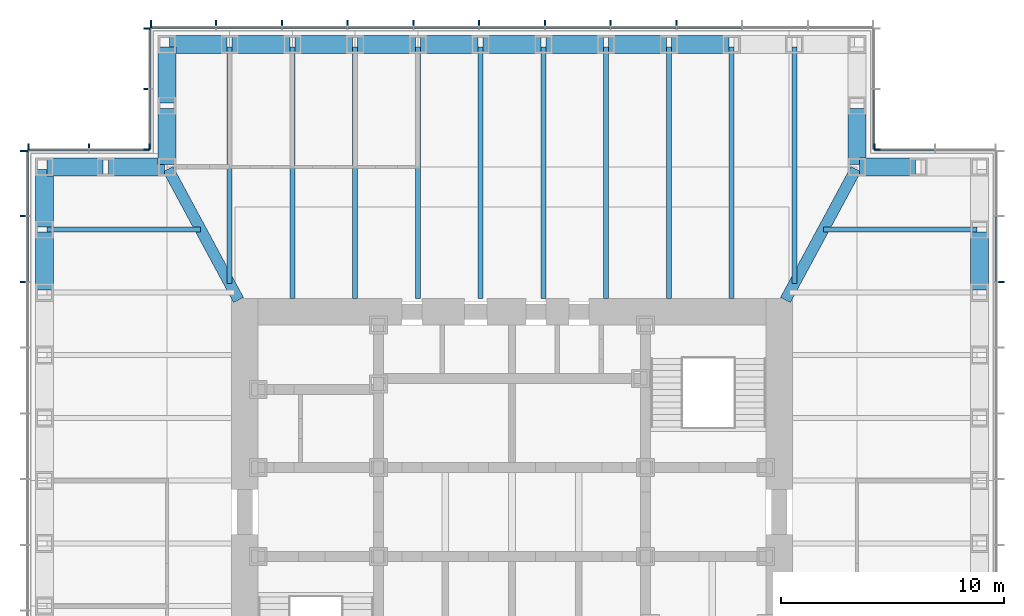
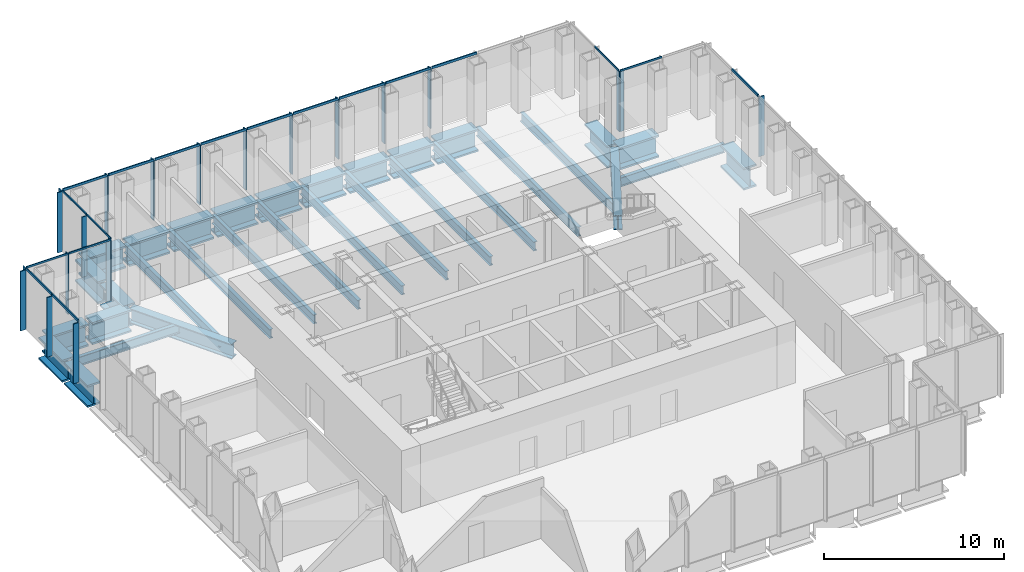
# One storey, part 5 of 16: 39 members, 32 beams, 7 elements without a shape of their own.
"""IFC4 building model written with IfcOpenShell, lengths in metres."""

from ifc_helpers import new_model, si_unit, direction, frame, origin, origin_2d, place, context, subcontext, project, spatial, rectangle, i_section, extrude, material, material_profile, profile_set, type_object, element, aggregate, save


model = new_model("IFC4")

# Units and contexts
model_context = context("Model", 3, precision=1e-05, world=origin(), true_north=direction((0.0, 1.0)))
body_context = subcontext(model_context, "Body", "Model", "MODEL_VIEW")
ifc_project = project(units=[si_unit("LENGTHUNIT", "METRE"), si_unit("AREAUNIT", "SQUARE_METRE"), si_unit("VOLUMEUNIT", "CUBIC_METRE"), si_unit("PLANEANGLEUNIT", "RADIAN"), si_unit("MASSUNIT", "GRAM", prefix="KILO")], contexts=[model_context])

# Site, building, storey
site_placement = place(None, origin())
site = spatial("IfcSite", under=ifc_project, at=site_placement, CompositionType="ELEMENT")
building_placement = place(site_placement, origin())
building = spatial("IfcBuilding", under=site, at=building_placement, Name="Daluyong Arena Tower", CompositionType="ELEMENT")
storey_placement = place(building_placement, frame((0.0, 0.0, 235.89990234375)))
storey = spatial("IfcBuildingStorey", under=building, at=storey_placement, Name="L53", CompositionType="ELEMENT", Elevation=235.89990234375)

# Curtain wall, member
ifc_material_1 = material(Name="Bronze anodised aluminium and glass", Category="aluminium")
curtain_wall_type_1 = type_object("IfcCurtainWallType", Name="Curtain wall CW3", PredefinedType="USERDEFINED", material=ifc_material_1)
curtain_wall_1_placement = place(storey_placement, origin())
curtain_wall_1 = element("IfcCurtainWall", 1, at=curtain_wall_1_placement, inside=storey, type_object=curtain_wall_type_1, Name="curtain wall L53 E", ObjectType="UNITISED CURTAIN WALL", PredefinedType="USERDEFINED")
ifc_material_2 = material(Name="Bronze anodised aluminium fin", Category="aluminium")
ifc_material_profile_1 = material_profile(ifc_material_2, rectangle(XDim=0.35009765625, YDim=0.070068359375, at=origin_2d()))
ifc_profile_set_1 = profile_set([ifc_material_profile_1], Name="Bronze anodised aluminium fin")
member_type_1 = type_object("IfcMemberType", Name="CW3 bronze fin 350x70", PredefinedType="MULLION", material=ifc_profile_set_1)
member_1_placement = place(storey_placement, frame((77.925048828125, 90.3408203125, 0.0), z_axis=(0.0, 0.0, 1.0), x_axis=(-1.0, 0.0, 0.0)))
member_1 = element("IfcMember", 2, at=member_1_placement, type_object=member_type_1, Name="curtain wall L53 E fin 10", PredefinedType="MULLION", context=body_context, shape_type="SweptSolid", body=[
    extrude(rectangle(XDim=0.35009765625, YDim=0.070068359375, at=origin_2d()), origin(), (0.0, 0.0, 1.0), 4.0400390625),
])

# Curtain wall, members
curtain_wall_2_placement = place(storey_placement, origin())
curtain_wall_2 = element("IfcCurtainWall", 3, at=curtain_wall_2_placement, inside=storey, type_object=curtain_wall_type_1, Name="curtain wall L53 N", ObjectType="UNITISED CURTAIN WALL", PredefinedType="USERDEFINED")
member_2_placement = place(storey_placement, frame((63.386474609375, 101.925048828125, 0.0), z_axis=(0.0, 0.0, 1.0), x_axis=(0.0, -1.0, 0.0)))
member_2 = element("IfcMember", 4, at=member_2_placement, type_object=member_type_1, Name="curtain wall L53 N fin 4", PredefinedType="MULLION", context=body_context, shape_type="SweptSolid", body=[
    extrude(rectangle(XDim=0.35009765625, YDim=0.070068359375, at=origin_2d()), origin(), (0.0, 0.0, 1.0), 4.0400390625),
])
member_3_placement = place(storey_placement, frame((60.431884765625, 101.925048828125, 0.0), z_axis=(0.0, 0.0, 1.0), x_axis=(0.0, -1.0, 0.0)))
member_3 = element("IfcMember", 5, at=member_3_placement, type_object=member_type_1, Name="curtain wall L53 N fin 5", PredefinedType="MULLION", context=body_context, shape_type="SweptSolid", body=[
    extrude(rectangle(XDim=0.35009765625, YDim=0.070068359375, at=origin_2d()), origin(), (0.0, 0.0, 1.0), 4.0400390625),
])
member_4_placement = place(storey_placement, frame((57.477294921875, 101.925048828125, 0.0), z_axis=(0.0, 0.0, 1.0), x_axis=(0.0, -1.0, 0.0)))
member_4 = element("IfcMember", 6, at=member_4_placement, type_object=member_type_1, Name="curtain wall L53 N fin 6", PredefinedType="MULLION", context=body_context, shape_type="SweptSolid", body=[
    extrude(rectangle(XDim=0.35009765625, YDim=0.070068359375, at=origin_2d()), origin(), (0.0, 0.0, 1.0), 4.0400390625),
])
member_5_placement = place(storey_placement, frame((54.522705078125, 101.925048828125, 0.0), z_axis=(0.0, 0.0, 1.0), x_axis=(0.0, -1.0, 0.0)))
member_5 = element("IfcMember", 7, at=member_5_placement, type_object=member_type_1, Name="curtain wall L53 N fin 7", PredefinedType="MULLION", context=body_context, shape_type="SweptSolid", body=[
    extrude(rectangle(XDim=0.35009765625, YDim=0.070068359375, at=origin_2d()), origin(), (0.0, 0.0, 1.0), 4.0400390625),
])
member_6_placement = place(storey_placement, frame((51.568115234375, 101.925048828125, 0.0), z_axis=(0.0, 0.0, 1.0), x_axis=(0.0, -1.0, 0.0)))
member_6 = element("IfcMember", 8, at=member_6_placement, type_object=member_type_1, Name="curtain wall L53 N fin 8", PredefinedType="MULLION", context=body_context, shape_type="SweptSolid", body=[
    extrude(rectangle(XDim=0.35009765625, YDim=0.070068359375, at=origin_2d()), origin(), (0.0, 0.0, 1.0), 4.0400390625),
])
member_7_placement = place(storey_placement, frame((48.613525390625, 101.925048828125, 0.0), z_axis=(0.0, 0.0, 1.0), x_axis=(0.0, -1.0, 0.0)))
member_7 = element("IfcMember", 9, at=member_7_placement, type_object=member_type_1, Name="curtain wall L53 N fin 9", PredefinedType="MULLION", context=body_context, shape_type="SweptSolid", body=[
    extrude(rectangle(XDim=0.35009765625, YDim=0.070068359375, at=origin_2d()), origin(), (0.0, 0.0, 1.0), 4.0400390625),
])
member_8_placement = place(storey_placement, frame((45.6591796875, 101.925048828125, 0.0), z_axis=(0.0, 0.0, 1.0), x_axis=(0.0, -1.0, 0.0)))
member_8 = element("IfcMember", 10, at=member_8_placement, type_object=member_type_1, Name="curtain wall L53 N fin 10", PredefinedType="MULLION", context=body_context, shape_type="SweptSolid", body=[
    extrude(rectangle(XDim=0.35009765625, YDim=0.070068359375, at=origin_2d()), origin(), (0.0, 0.0, 1.0), 4.0400390625),
])
member_9_placement = place(storey_placement, frame((42.70458984375, 101.925048828125, 0.0), z_axis=(0.0, 0.0, 1.0), x_axis=(0.0, -1.0, 0.0)))
member_9 = element("IfcMember", 11, at=member_9_placement, type_object=member_type_1, Name="curtain wall L53 N fin 11", PredefinedType="MULLION", context=body_context, shape_type="SweptSolid", body=[
    extrude(rectangle(XDim=0.35009765625, YDim=0.070068359375, at=origin_2d()), origin(), (0.0, 0.0, 1.0), 4.0400390625),
])
member_10_placement = place(storey_placement, frame((39.784912109375, 101.925048828125, 0.0), z_axis=(0.0, 0.0, 1.0), x_axis=(0.0, -1.0, 0.0)))
member_10 = element("IfcMember", 12, at=member_10_placement, type_object=member_type_1, Name="curtain wall L53 N fin 12", PredefinedType="MULLION", context=body_context, shape_type="SweptSolid", body=[
    extrude(rectangle(XDim=0.35009765625, YDim=0.070068359375, at=origin_2d()), origin(), (0.0, 0.0, 1.0), 4.0400390625),
])

curtain_wall_3_placement = place(storey_placement, origin())
curtain_wall_3 = element("IfcCurtainWall", 13, at=curtain_wall_3_placement, inside=storey, type_object=curtain_wall_type_1, Name="curtain wall L53 W", ObjectType="UNITISED CURTAIN WALL", PredefinedType="USERDEFINED")
member_11_placement = place(storey_placement, frame((34.074951171875, 96.215087890625, 0.0), z_axis=(0.0, 0.0, 1.0), x_axis=(1.0, 0.0, 0.0)))
member_11 = element("IfcMember", 14, at=member_11_placement, type_object=member_type_1, Name="curtain wall L53 W fin 1", PredefinedType="MULLION", context=body_context, shape_type="SweptSolid", body=[
    extrude(rectangle(XDim=0.35009765625, YDim=0.070068359375, at=origin_2d()), origin(), (0.0, 0.0, 1.0), 4.0400390625),
])
member_12_placement = place(storey_placement, frame((34.074951171875, 93.29541015625, 0.0), z_axis=(0.0, 0.0, 1.0), x_axis=(1.0, 0.0, 0.0)))
member_12 = element("IfcMember", 15, at=member_12_placement, type_object=member_type_1, Name="curtain wall L53 W fin 2", PredefinedType="MULLION", context=body_context, shape_type="SweptSolid", body=[
    extrude(rectangle(XDim=0.35009765625, YDim=0.070068359375, at=origin_2d()), origin(), (0.0, 0.0, 1.0), 4.0400390625),
])
member_13_placement = place(storey_placement, frame((34.074951171875, 90.3408203125, 0.0), z_axis=(0.0, 0.0, 1.0), x_axis=(1.0, 0.0, 0.0)))
member_13 = element("IfcMember", 16, at=member_13_placement, type_object=member_type_1, Name="curtain wall L53 W fin 3", PredefinedType="MULLION", context=body_context, shape_type="SweptSolid", body=[
    extrude(rectangle(XDim=0.35009765625, YDim=0.070068359375, at=origin_2d()), origin(), (0.0, 0.0, 1.0), 4.0400390625),
])

# Member
ifc_material_3 = material(Name="Bronze anodised aluminium", Category="aluminium")
ifc_material_profile_2 = material_profile(ifc_material_3, rectangle(XDim=0.070068359375, YDim=0.159912109375, at=origin_2d()))
ifc_profile_set_2 = profile_set([ifc_material_profile_2], Name="Bronze anodised aluminium")
member_type_2 = type_object("IfcMemberType", Name="CW3 stack transom 160x70", PredefinedType="USERDEFINED", material=ifc_profile_set_2)
member_14_placement = place(storey_placement, frame((77.75, 90.3759765625, 4.1201171875), z_axis=(0.0, 1.0, 0.0), x_axis=(-1.0, 0.0, 0.0)))
member_14 = element("IfcMember", 17, at=member_14_placement, type_object=member_type_2, Name="curtain wall L53 E transom 10", ObjectType="TRANSOM", PredefinedType="USERDEFINED", context=body_context, shape_type="SweptSolid", body=[
    extrude(rectangle(XDim=0.070068359375, YDim=0.159912109375, at=origin_2d()), origin(), (0.0, 0.0, 1.0), 2.884521484375),
])

aggregate(curtain_wall_1, [member_1, member_14])

member_15_placement = place(storey_placement, frame((66.305908203125, 101.75, 4.1201171875), z_axis=(-1.0, 0.0, 0.0), x_axis=(0.0, -1.0, 0.0)))
member_15 = element("IfcMember", 18, at=member_15_placement, type_object=member_type_2, Name="curtain wall L53 N transom 3", ObjectType="TRANSOM", PredefinedType="USERDEFINED", context=body_context, shape_type="SweptSolid", body=[
    extrude(rectangle(XDim=0.070068359375, YDim=0.159912109375, at=origin_2d()), origin(), (0.0, 0.0, 1.0), 2.884521484375),
])

member_16_placement = place(storey_placement, frame((63.351318359375, 101.75, 4.1201171875), z_axis=(-1.0, 0.0, 0.0), x_axis=(0.0, -1.0, 0.0)))
member_16 = element("IfcMember", 19, at=member_16_placement, type_object=member_type_2, Name="curtain wall L53 N transom 4", ObjectType="TRANSOM", PredefinedType="USERDEFINED", context=body_context, shape_type="SweptSolid", body=[
    extrude(rectangle(XDim=0.070068359375, YDim=0.159912109375, at=origin_2d()), origin(), (0.0, 0.0, 1.0), 2.884521484375),
])

member_17_placement = place(storey_placement, frame((60.396728515625, 101.75, 4.1201171875), z_axis=(-1.0, 0.0, 0.0), x_axis=(0.0, -1.0, 0.0)))
member_17 = element("IfcMember", 20, at=member_17_placement, type_object=member_type_2, Name="curtain wall L53 N transom 5", ObjectType="TRANSOM", PredefinedType="USERDEFINED", context=body_context, shape_type="SweptSolid", body=[
    extrude(rectangle(XDim=0.070068359375, YDim=0.159912109375, at=origin_2d()), origin(), (0.0, 0.0, 1.0), 2.884521484375),
])

member_18_placement = place(storey_placement, frame((57.4423828125, 101.75, 4.1201171875), z_axis=(-1.0, 0.0, 0.0), x_axis=(0.0, -1.0, 0.0)))
member_18 = element("IfcMember", 21, at=member_18_placement, type_object=member_type_2, Name="curtain wall L53 N transom 6", ObjectType="TRANSOM", PredefinedType="USERDEFINED", context=body_context, shape_type="SweptSolid", body=[
    extrude(rectangle(XDim=0.070068359375, YDim=0.159912109375, at=origin_2d()), origin(), (0.0, 0.0, 1.0), 2.884765625),
])

member_19_placement = place(storey_placement, frame((54.48779296875, 101.75, 4.1201171875), z_axis=(-1.0, 0.0, 0.0), x_axis=(0.0, -1.0, 0.0)))
member_19 = element("IfcMember", 22, at=member_19_placement, type_object=member_type_2, Name="curtain wall L53 N transom 7", ObjectType="TRANSOM", PredefinedType="USERDEFINED", context=body_context, shape_type="SweptSolid", body=[
    extrude(rectangle(XDim=0.070068359375, YDim=0.159912109375, at=origin_2d()), origin(), (0.0, 0.0, 1.0), 2.884521484375),
])

member_20_placement = place(storey_placement, frame((51.533203125, 101.75, 4.1201171875), z_axis=(-1.0, 0.0, 0.0), x_axis=(0.0, -1.0, 0.0)))
member_20 = element("IfcMember", 23, at=member_20_placement, type_object=member_type_2, Name="curtain wall L53 N transom 8", ObjectType="TRANSOM", PredefinedType="USERDEFINED", context=body_context, shape_type="SweptSolid", body=[
    extrude(rectangle(XDim=0.070068359375, YDim=0.159912109375, at=origin_2d()), origin(), (0.0, 0.0, 1.0), 2.884521484375),
])

member_21_placement = place(storey_placement, frame((48.57861328125, 101.75, 4.1201171875), z_axis=(-1.0, 0.0, 0.0), x_axis=(0.0, -1.0, 0.0)))
member_21 = element("IfcMember", 24, at=member_21_placement, type_object=member_type_2, Name="curtain wall L53 N transom 9", ObjectType="TRANSOM", PredefinedType="USERDEFINED", context=body_context, shape_type="SweptSolid", body=[
    extrude(rectangle(XDim=0.070068359375, YDim=0.159912109375, at=origin_2d()), origin(), (0.0, 0.0, 1.0), 2.884521484375),
])

member_22_placement = place(storey_placement, frame((45.6240234375, 101.75, 4.1201171875), z_axis=(-1.0, 0.0, 0.0), x_axis=(0.0, -1.0, 0.0)))
member_22 = element("IfcMember", 25, at=member_22_placement, type_object=member_type_2, Name="curtain wall L53 N transom 10", ObjectType="TRANSOM", PredefinedType="USERDEFINED", context=body_context, shape_type="SweptSolid", body=[
    extrude(rectangle(XDim=0.070068359375, YDim=0.159912109375, at=origin_2d()), origin(), (0.0, 0.0, 1.0), 2.884521484375),
])

member_23_placement = place(storey_placement, frame((42.66943359375, 101.75, 4.1201171875), z_axis=(-1.0, 0.0, 0.0), x_axis=(0.0, -1.0, 0.0)))
member_23 = element("IfcMember", 26, at=member_23_placement, type_object=member_type_2, Name="curtain wall L53 N transom 11", ObjectType="TRANSOM", PredefinedType="USERDEFINED", context=body_context, shape_type="SweptSolid", body=[
    extrude(rectangle(XDim=0.070068359375, YDim=0.159912109375, at=origin_2d()), origin(), (0.0, 0.0, 1.0), 2.849365234375),
])

aggregate(curtain_wall_2, [member_2, member_3, member_4, member_5, member_6, member_7, member_8, member_9, member_10, member_15, member_16, member_17, member_18, member_19, member_20, member_21, member_22, member_23])

member_24_placement = place(storey_placement, frame((34.25, 96.179931640625, 4.1201171875), z_axis=(0.0, -1.0, 0.0), x_axis=(1.0, 0.0, 0.0)))
member_24 = element("IfcMember", 27, at=member_24_placement, type_object=member_type_2, Name="curtain wall L53 W transom 1", ObjectType="TRANSOM", PredefinedType="USERDEFINED", context=body_context, shape_type="SweptSolid", body=[
    extrude(rectangle(XDim=0.070068359375, YDim=0.159912109375, at=origin_2d()), origin(), (0.0, 0.0, 1.0), 2.849365234375),
])

member_25_placement = place(storey_placement, frame((34.25, 93.260498046875, 4.1201171875), z_axis=(0.0, -1.0, 0.0), x_axis=(1.0, 0.0, 0.0)))
member_25 = element("IfcMember", 28, at=member_25_placement, type_object=member_type_2, Name="curtain wall L53 W transom 2", ObjectType="TRANSOM", PredefinedType="USERDEFINED", context=body_context, shape_type="SweptSolid", body=[
    extrude(rectangle(XDim=0.070068359375, YDim=0.159912109375, at=origin_2d()), origin(), (0.0, 0.0, 1.0), 2.884521484375),
])

aggregate(curtain_wall_3, [member_11, member_12, member_13, member_24, member_25])

# Curtain wall, member
ifc_material_4 = material(Name="Bronze anodised aluminium and glass", Category="aluminium")
curtain_wall_type_2 = type_object("IfcCurtainWallType", Name="Curtain wall CW7", PredefinedType="USERDEFINED", material=ifc_material_4)
curtain_wall_4_placement = place(storey_placement, origin())
curtain_wall_4 = element("IfcCurtainWall", 29, at=curtain_wall_4_placement, inside=storey, type_object=curtain_wall_type_2, Name="curtain wall L53 NE-N", ObjectType="UNITISED CURTAIN WALL", PredefinedType="USERDEFINED")
ifc_material_5 = material(Name="Bronze anodised aluminium fin", Category="aluminium")
ifc_material_profile_3 = material_profile(ifc_material_5, rectangle(XDim=0.300048828125, YDim=0.06005859375, at=origin_2d()))
ifc_profile_set_3 = profile_set([ifc_material_profile_3], Name="Bronze anodised aluminium fin")
member_type_3 = type_object("IfcMemberType", Name="CW7 bronze fin 300x60", PredefinedType="MULLION", material=ifc_profile_set_3)
member_26_placement = place(storey_placement, frame((72.280029296875, 96.39990234375, 0.0), z_axis=(0.0, 0.0, 1.0), x_axis=(0.0, -1.0, 0.0)))
member_26 = element("IfcMember", 30, at=member_26_placement, type_object=member_type_3, Name="curtain wall L53 NE-N fin 3", PredefinedType="MULLION", context=body_context, shape_type="SweptSolid", body=[
    extrude(rectangle(XDim=0.300048828125, YDim=0.06005859375, at=origin_2d()), origin(), (0.0, 0.0, 1.0), 4.080078125),
])

curtain_wall_5_placement = place(storey_placement, origin())
curtain_wall_5 = element("IfcCurtainWall", 31, at=curtain_wall_5_placement, inside=storey, type_object=curtain_wall_type_2, Name="curtain wall L53 NE-E", ObjectType="UNITISED CURTAIN WALL", PredefinedType="USERDEFINED")
member_27_placement = place(storey_placement, frame((72.39990234375, 96.280029296875, 0.0), z_axis=(0.0, 0.0, 1.0), x_axis=(-1.0, 0.0, 0.0)))
member_27 = element("IfcMember", 32, at=member_27_placement, type_object=member_type_3, Name="curtain wall L53 NE-E fin 1", PredefinedType="MULLION", context=body_context, shape_type="SweptSolid", body=[
    extrude(rectangle(XDim=0.300048828125, YDim=0.06005859375, at=origin_2d()), origin(), (0.0, 0.0, 1.0), 4.080078125),
])

# Curtain wall, members
curtain_wall_6_placement = place(storey_placement, origin())
curtain_wall_6 = element("IfcCurtainWall", 33, at=curtain_wall_6_placement, inside=storey, type_object=curtain_wall_type_2, Name="curtain wall L53 NW-W", ObjectType="UNITISED CURTAIN WALL", PredefinedType="USERDEFINED")
member_28_placement = place(storey_placement, frame((39.60009765625, 101.719970703125, 0.0), z_axis=(0.0, 0.0, 1.0), x_axis=(1.0, 0.0, 0.0)))
member_28 = element("IfcMember", 34, at=member_28_placement, type_object=member_type_3, Name="curtain wall L53 NW-W fin 1", PredefinedType="MULLION", context=body_context, shape_type="SweptSolid", body=[
    extrude(rectangle(XDim=0.300048828125, YDim=0.06005859375, at=origin_2d()), origin(), (0.0, 0.0, 1.0), 4.080078125),
])
member_29_placement = place(storey_placement, frame((39.60009765625, 99.0, 0.0), z_axis=(0.0, 0.0, 1.0), x_axis=(1.0, 0.0, 0.0)))
member_29 = element("IfcMember", 35, at=member_29_placement, type_object=member_type_3, Name="curtain wall L53 NW-W fin 2", PredefinedType="MULLION", context=body_context, shape_type="SweptSolid", body=[
    extrude(rectangle(XDim=0.300048828125, YDim=0.06005859375, at=origin_2d()), origin(), (0.0, 0.0, 1.0), 4.080078125),
])
member_30_placement = place(storey_placement, frame((39.60009765625, 96.280029296875, 0.0), z_axis=(0.0, 0.0, 1.0), x_axis=(1.0, 0.0, 0.0)))
member_30 = element("IfcMember", 36, at=member_30_placement, type_object=member_type_3, Name="curtain wall L53 NW-W fin 3", PredefinedType="MULLION", context=body_context, shape_type="SweptSolid", body=[
    extrude(rectangle(XDim=0.300048828125, YDim=0.06005859375, at=origin_2d()), origin(), (0.0, 0.0, 1.0), 4.080078125),
])

curtain_wall_7_placement = place(storey_placement, origin())
curtain_wall_7 = element("IfcCurtainWall", 37, at=curtain_wall_7_placement, inside=storey, type_object=curtain_wall_type_2, Name="curtain wall L53 NW-N", ObjectType="UNITISED CURTAIN WALL", PredefinedType="USERDEFINED")
member_31_placement = place(storey_placement, frame((39.719970703125, 96.39990234375, 0.0), z_axis=(0.0, 0.0, 1.0), x_axis=(0.0, -1.0, 0.0)))
member_31 = element("IfcMember", 38, at=member_31_placement, type_object=member_type_3, Name="curtain wall L53 NW-N fin 1", PredefinedType="MULLION", context=body_context, shape_type="SweptSolid", body=[
    extrude(rectangle(XDim=0.300048828125, YDim=0.06005859375, at=origin_2d()), origin(), (0.0, 0.0, 1.0), 4.080078125),
])
member_32_placement = place(storey_placement, frame((37.0, 96.39990234375, 0.0), z_axis=(0.0, 0.0, 1.0), x_axis=(0.0, -1.0, 0.0)))
member_32 = element("IfcMember", 39, at=member_32_placement, type_object=member_type_3, Name="curtain wall L53 NW-N fin 2", PredefinedType="MULLION", context=body_context, shape_type="SweptSolid", body=[
    extrude(rectangle(XDim=0.300048828125, YDim=0.06005859375, at=origin_2d()), origin(), (0.0, 0.0, 1.0), 4.080078125),
])
member_33_placement = place(storey_placement, frame((34.280029296875, 96.39990234375, 0.0), z_axis=(0.0, 0.0, 1.0), x_axis=(0.0, -1.0, 0.0)))
member_33 = element("IfcMember", 40, at=member_33_placement, type_object=member_type_3, Name="curtain wall L53 NW-N fin 3", PredefinedType="MULLION", context=body_context, shape_type="SweptSolid", body=[
    extrude(rectangle(XDim=0.300048828125, YDim=0.06005859375, at=origin_2d()), origin(), (0.0, 0.0, 1.0), 4.080078125),
])

# Member
ifc_material_6 = material(Name="Bronze anodised aluminium", Category="aluminium")
ifc_material_profile_4 = material_profile(ifc_material_6, rectangle(XDim=0.06005859375, YDim=0.1201171875, at=origin_2d()))
ifc_profile_set_4 = profile_set([ifc_material_profile_4], Name="Bronze anodised aluminium")
member_type_4 = type_object("IfcMemberType", Name="CW7 stack transom 120x60", PredefinedType="USERDEFINED", material=ifc_profile_set_4)
member_34_placement = place(storey_placement, frame((74.969970703125, 96.25, 4.14013671875), z_axis=(-1.0, 0.0, 0.0), x_axis=(0.0, -1.0, 0.0)))
member_34 = element("IfcMember", 41, at=member_34_placement, type_object=member_type_4, Name="curtain wall L53 NE-N transom 2", ObjectType="TRANSOM", PredefinedType="USERDEFINED", context=body_context, shape_type="SweptSolid", body=[
    extrude(rectangle(XDim=0.06005859375, YDim=0.1201171875, at=origin_2d()), origin(), (0.0, 0.0, 1.0), 2.659912109375),
])

aggregate(curtain_wall_4, [member_26, member_34])

member_35_placement = place(storey_placement, frame((72.25, 96.31005859375, 4.14013671875), z_axis=(0.0, 1.0, 0.0), x_axis=(-1.0, 0.0, 0.0)))
member_35 = element("IfcMember", 42, at=member_35_placement, type_object=member_type_4, Name="curtain wall L53 NE-E transom 1", ObjectType="TRANSOM", PredefinedType="USERDEFINED", context=body_context, shape_type="SweptSolid", body=[
    extrude(rectangle(XDim=0.06005859375, YDim=0.1201171875, at=origin_2d()), origin(), (0.0, 0.0, 1.0), 2.659912109375),
])

aggregate(curtain_wall_5, [member_27, member_35])

member_36_placement = place(storey_placement, frame((39.75, 101.68994140625, 4.14013671875), z_axis=(0.0, -1.0, 0.0), x_axis=(1.0, 0.0, 0.0)))
member_36 = element("IfcMember", 43, at=member_36_placement, type_object=member_type_4, Name="curtain wall L53 NW-W transom 1", ObjectType="TRANSOM", PredefinedType="USERDEFINED", context=body_context, shape_type="SweptSolid", body=[
    extrude(rectangle(XDim=0.06005859375, YDim=0.1201171875, at=origin_2d()), origin(), (0.0, 0.0, 1.0), 2.659912109375),
])

member_37_placement = place(storey_placement, frame((39.75, 98.969970703125, 4.14013671875), z_axis=(0.0, -1.0, 0.0), x_axis=(1.0, 0.0, 0.0)))
member_37 = element("IfcMember", 44, at=member_37_placement, type_object=member_type_4, Name="curtain wall L53 NW-W transom 2", ObjectType="TRANSOM", PredefinedType="USERDEFINED", context=body_context, shape_type="SweptSolid", body=[
    extrude(rectangle(XDim=0.06005859375, YDim=0.1201171875, at=origin_2d()), origin(), (0.0, 0.0, 1.0), 2.659912109375),
])

aggregate(curtain_wall_6, [member_28, member_29, member_30, member_36, member_37])

member_38_placement = place(storey_placement, frame((39.68994140625, 96.25, 4.14013671875), z_axis=(-1.0, 0.0, 0.0), x_axis=(0.0, -1.0, 0.0)))
member_38 = element("IfcMember", 45, at=member_38_placement, type_object=member_type_4, Name="curtain wall L53 NW-N transom 1", ObjectType="TRANSOM", PredefinedType="USERDEFINED", context=body_context, shape_type="SweptSolid", body=[
    extrude(rectangle(XDim=0.06005859375, YDim=0.1201171875, at=origin_2d()), origin(), (0.0, 0.0, 1.0), 2.659912109375),
])

member_39_placement = place(storey_placement, frame((36.969970703125, 96.25, 4.14013671875), z_axis=(-1.0, 0.0, 0.0), x_axis=(0.0, -1.0, 0.0)))
member_39 = element("IfcMember", 46, at=member_39_placement, type_object=member_type_4, Name="curtain wall L53 NW-N transom 2", ObjectType="TRANSOM", PredefinedType="USERDEFINED", context=body_context, shape_type="SweptSolid", body=[
    extrude(rectangle(XDim=0.06005859375, YDim=0.1201171875, at=origin_2d()), origin(), (0.0, 0.0, 1.0), 2.659912109375),
])

aggregate(curtain_wall_7, [member_31, member_32, member_33, member_38, member_39])

# Beams
ifc_material_7 = material(Name="Steel ASTM A572 Grade 50", Category="steel")
ifc_material_profile_5 = material_profile(ifc_material_7, i_section(OverallWidth=0.5, OverallDepth=1.0, WebThickness=0.03, FlangeThickness=0.06, at=origin_2d()))
ifc_profile_set_5 = profile_set([ifc_material_profile_5], Name="Steel ASTM A572 Grade 50")
beam_type_1 = type_object("IfcBeamType", Name="Corner girder TB1000X500", PredefinedType="BEAM", material=ifc_profile_set_5)
for number, where, z_axis, x_axis, name in (
    (47, (71.445556640625, 95.398681640625, -0.659912109375), (-0.474119475266, -0.880460517669, 0.0), (0.880460517669, -0.474119475266, 0.0), "corner girder DG2"),
    (48, (40.554443359375, 95.398681640625, -0.659912109375), (0.474119475266, -0.880460517669, 0.0), (0.880460517669, 0.474119475266, 0.0), "corner girder DG2"),
):
    element("IfcBeam", number, at=place(storey_placement, frame(where, z_axis=z_axis, x_axis=x_axis)), inside=storey, type_object=beam_type_1, Name=name, PredefinedType="BEAM", context=body_context, shape_type="SweptSolid", body=[
        extrude(i_section(OverallWidth=0.5, OverallDepth=1.0, WebThickness=0.03, FlangeThickness=0.06, at=origin_2d()), origin(), (0.0, 0.0, 1.0), 6.66748046875),
    ])
ifc_material_8 = material(Name="Steel ASTM A992 Grade 50", Category="steel")
ifc_material_profile_6 = material_profile(ifc_material_8, i_section(OverallWidth=0.22900390625, OverallDepth=0.612060546875, WebThickness=0.011962890625, FlangeThickness=0.01953125, at=origin_2d()))
ifc_profile_set_6 = profile_set([ifc_material_profile_6], Name="Steel ASTM A992 Grade 50")
beam_type_2 = type_object("IfcBeamType", Name="Floor beam W24X84", PredefinedType="BEAM", material=ifc_profile_set_6)
beam_1_placement = place(storey_placement, frame((76.885009765625, 92.681884765625, -0.466064453125), z_axis=(-1.0, 0.0, 0.0), x_axis=(0.0, -1.0, 0.0)))
element("IfcBeam", 49, at=beam_1_placement, inside=storey, type_object=beam_type_2, Name="floor beam FB3", PredefinedType="BEAM", context=body_context, shape_type="SweptSolid", body=[
    extrude(i_section(OverallWidth=0.22900390625, OverallDepth=0.612060546875, WebThickness=0.011962890625, FlangeThickness=0.01953125, at=origin_2d()), origin(), (0.0, 0.0, 1.0), 6.902587890625),
])
beam_2_placement = place(storey_placement, frame((68.681884765625, 100.885009765625, -0.466064453125), z_axis=(0.0, -1.0, 0.0), x_axis=(1.0, 0.0, 0.0)))
element("IfcBeam", 50, at=beam_2_placement, inside=storey, type_object=beam_type_2, Name="floor beam FB3", PredefinedType="BEAM", context=body_context, shape_type="SweptSolid", body=[
    extrude(i_section(OverallWidth=0.22900390625, OverallDepth=0.612060546875, WebThickness=0.011962890625, FlangeThickness=0.01953125, at=origin_2d()), origin(), (0.0, 0.0, 1.0), 10.618896484375),
])
for number, where, z_axis, x_axis, name in (
    (51, (65.863525390625, 100.885009765625, -0.466064453125), (0.0, -1.0, 0.0), (1.0, 0.0, 0.0), "floor beam FB3"),
    (52, (63.04541015625, 100.885009765625, -0.466064453125), (0.0, -1.0, 0.0), (1.0, 0.0, 0.0), "floor beam FB3"),
    (53, (60.227294921875, 100.885009765625, -0.466064453125), (0.0, -1.0, 0.0), (1.0, 0.0, 0.0), "floor beam FB3"),
    (54, (57.4091796875, 100.885009765625, -0.466064453125), (0.0, -1.0, 0.0), (1.0, 0.0, 0.0), "floor beam FB3"),
    (55, (54.5908203125, 100.885009765625, -0.466064453125), (0.0, -1.0, 0.0), (1.0, 0.0, 0.0), "floor beam FB3"),
    (56, (51.772705078125, 100.885009765625, -0.466064453125), (0.0, -1.0, 0.0), (1.0, 0.0, 0.0), "floor beam FB3"),
    (57, (48.95458984375, 100.885009765625, -0.466064453125), (0.0, -1.0, 0.0), (1.0, 0.0, 0.0), "floor beam FB3"),
    (58, (46.136474609375, 100.885009765625, -0.466064453125), (0.0, -1.0, 0.0), (1.0, 0.0, 0.0), "floor beam FB3"),
):
    element("IfcBeam", number, at=place(storey_placement, frame(where, z_axis=z_axis, x_axis=x_axis)), inside=storey, type_object=beam_type_2, Name=name, PredefinedType="BEAM", context=body_context, shape_type="SweptSolid", body=[
        extrude(i_section(OverallWidth=0.22900390625, OverallDepth=0.612060546875, WebThickness=0.011962890625, FlangeThickness=0.01953125, at=origin_2d()), origin(), (0.0, 0.0, 1.0), 11.284912109375),
    ])
beam_3_placement = place(storey_placement, frame((43.318115234375, 100.885009765625, -0.466064453125), z_axis=(0.0, -1.0, 0.0), x_axis=(1.0, 0.0, 0.0)))
element("IfcBeam", 59, at=beam_3_placement, inside=storey, type_object=beam_type_2, Name="floor beam FB3", PredefinedType="BEAM", context=body_context, shape_type="SweptSolid", body=[
    extrude(i_section(OverallWidth=0.22900390625, OverallDepth=0.612060546875, WebThickness=0.011962890625, FlangeThickness=0.01953125, at=origin_2d()), origin(), (0.0, 0.0, 1.0), 10.618896484375),
])
beam_4_placement = place(storey_placement, frame((35.114990234375, 92.681884765625, -0.466064453125), z_axis=(1.0, 0.0, 0.0), x_axis=(0.0, 1.0, 0.0)))
element("IfcBeam", 60, at=beam_4_placement, inside=storey, type_object=beam_type_2, Name="floor beam FB3", PredefinedType="BEAM", context=body_context, shape_type="SweptSolid", body=[
    extrude(i_section(OverallWidth=0.22900390625, OverallDepth=0.612060546875, WebThickness=0.011962890625, FlangeThickness=0.01953125, at=origin_2d()), origin(), (0.0, 0.0, 1.0), 6.902587890625),
])
ifc_material_9 = material(Name="Steel ASTM A588 Grade 50", Category="steel")
ifc_material_profile_7 = material_profile(ifc_material_9, i_section(OverallWidth=0.800048828125, OverallDepth=1.5, WebThickness=0.05, FlangeThickness=0.12, at=origin_2d()))
ifc_profile_set_7 = profile_set([ifc_material_profile_7], Name="Steel ASTM A588 Grade 50")
beam_type_3 = type_object("IfcBeamType", Name="Spandrel Z3 PG1500X800", PredefinedType="SPANDREL", material=ifc_profile_set_7)
beam_5_placement = place(storey_placement, frame((77.0, 89.978515625, -0.909912109375), z_axis=(0.0, 1.0, 0.0), x_axis=(-1.0, 0.0, 0.0)))
element("IfcBeam", 61, at=beam_5_placement, inside=storey, type_object=beam_type_3, Name="spandrel z3 SB7", PredefinedType="SPANDREL", context=body_context, shape_type="SweptSolid", body=[
    extrude(i_section(OverallWidth=0.800048828125, OverallDepth=1.5, WebThickness=0.05, FlangeThickness=0.12, at=origin_2d()), origin(), (0.0, 0.0, 1.0), 2.58837890625),
])
for number, where, z_axis, x_axis, name in (
    (62, (74.135009765625, 95.5, -0.909912109375), (-1.0, 0.0, 0.0), (0.0, -1.0, 0.0), "spandrel z3 SB7"),
    (63, (71.5, 95.614990234375, -0.909912109375), (0.0, 1.0, 0.0), (-1.0, 0.0, 0.0), "spandrel z3 SB7"),
):
    element("IfcBeam", number, at=place(storey_placement, frame(where, z_axis=z_axis, x_axis=x_axis)), inside=storey, type_object=beam_type_3, Name=name, PredefinedType="SPANDREL", context=body_context, shape_type="SweptSolid", body=[
        extrude(i_section(OverallWidth=0.800048828125, OverallDepth=1.5, WebThickness=0.05, FlangeThickness=0.12, at=origin_2d()), origin(), (0.0, 0.0, 1.0), 2.52001953125),
    ])
for number, where, z_axis, x_axis, name in (
    (64, (65.74853515625, 101.0, -0.909912109375), (-1.0, 0.0, 0.0), (0.0, -1.0, 0.0), "spandrel z3 SB7"),
    (65, (62.930419921875, 101.0, -0.909912109375), (-1.0, 0.0, 0.0), (0.0, -1.0, 0.0), "spandrel z3 SB7"),
    (66, (60.1123046875, 101.0, -0.909912109375), (-1.0, 0.0, 0.0), (0.0, -1.0, 0.0), "spandrel z3 SB7"),
):
    element("IfcBeam", number, at=place(storey_placement, frame(where, z_axis=z_axis, x_axis=x_axis)), inside=storey, type_object=beam_type_3, Name=name, PredefinedType="SPANDREL", context=body_context, shape_type="SweptSolid", body=[
        extrude(i_section(OverallWidth=0.800048828125, OverallDepth=1.5, WebThickness=0.05, FlangeThickness=0.12, at=origin_2d()), origin(), (0.0, 0.0, 1.0), 2.588134765625),
    ])
beam_6_placement = place(storey_placement, frame((57.294189453125, 101.0, -0.909912109375), z_axis=(-1.0, 0.0, 0.0), x_axis=(0.0, -1.0, 0.0)))
element("IfcBeam", 67, at=beam_6_placement, inside=storey, type_object=beam_type_3, Name="spandrel z3 SB7", PredefinedType="SPANDREL", context=body_context, shape_type="SweptSolid", body=[
    extrude(i_section(OverallWidth=0.800048828125, OverallDepth=1.5, WebThickness=0.05, FlangeThickness=0.12, at=origin_2d()), origin(), (0.0, 0.0, 1.0), 2.58837890625),
])
for number, where, z_axis, x_axis, name in (
    (68, (54.475830078125, 101.0, -0.909912109375), (-1.0, 0.0, 0.0), (0.0, -1.0, 0.0), "spandrel z3 SB7"),
    (69, (51.65771484375, 101.0, -0.909912109375), (-1.0, 0.0, 0.0), (0.0, -1.0, 0.0), "spandrel z3 SB7"),
    (70, (48.839599609375, 101.0, -0.909912109375), (-1.0, 0.0, 0.0), (0.0, -1.0, 0.0), "spandrel z3 SB7"),
):
    element("IfcBeam", number, at=place(storey_placement, frame(where, z_axis=z_axis, x_axis=x_axis)), inside=storey, type_object=beam_type_3, Name=name, PredefinedType="SPANDREL", context=body_context, shape_type="SweptSolid", body=[
        extrude(i_section(OverallWidth=0.800048828125, OverallDepth=1.5, WebThickness=0.05, FlangeThickness=0.12, at=origin_2d()), origin(), (0.0, 0.0, 1.0), 2.588134765625),
    ])
beam_7_placement = place(storey_placement, frame((46.021484375, 101.0, -0.909912109375), z_axis=(-1.0, 0.0, 0.0), x_axis=(0.0, -1.0, 0.0)))
element("IfcBeam", 71, at=beam_7_placement, inside=storey, type_object=beam_type_3, Name="spandrel z3 SB7", PredefinedType="SPANDREL", context=body_context, shape_type="SweptSolid", body=[
    extrude(i_section(OverallWidth=0.800048828125, OverallDepth=1.5, WebThickness=0.05, FlangeThickness=0.12, at=origin_2d()), origin(), (0.0, 0.0, 1.0), 2.58837890625),
])
beam_8_placement = place(storey_placement, frame((43.203125, 101.0, -0.909912109375), z_axis=(-1.0, 0.0, 0.0), x_axis=(0.0, -1.0, 0.0)))
element("IfcBeam", 72, at=beam_8_placement, inside=storey, type_object=beam_type_3, Name="spandrel z3 SB7", PredefinedType="SPANDREL", context=body_context, shape_type="SweptSolid", body=[
    extrude(i_section(OverallWidth=0.800048828125, OverallDepth=1.5, WebThickness=0.05, FlangeThickness=0.12, at=origin_2d()), origin(), (0.0, 0.0, 1.0), 2.588134765625),
])
for number, where, z_axis, x_axis, name in (
    (73, (40.5, 100.885009765625, -0.909912109375), (0.0, -1.0, 0.0), (1.0, 0.0, 0.0), "spandrel z3 SB7"),
    (74, (40.5, 98.135009765625, -0.909912109375), (0.0, -1.0, 0.0), (1.0, 0.0, 0.0), "spandrel z3 SB7"),
    (75, (40.385009765625, 95.5, -0.909912109375), (-1.0, 0.0, 0.0), (0.0, -1.0, 0.0), "spandrel z3 SB7"),
    (76, (37.635009765625, 95.5, -0.909912109375), (-1.0, 0.0, 0.0), (0.0, -1.0, 0.0), "spandrel z3 SB7"),
):
    element("IfcBeam", number, at=place(storey_placement, frame(where, z_axis=z_axis, x_axis=x_axis)), inside=storey, type_object=beam_type_3, Name=name, PredefinedType="SPANDREL", context=body_context, shape_type="SweptSolid", body=[
        extrude(i_section(OverallWidth=0.800048828125, OverallDepth=1.5, WebThickness=0.05, FlangeThickness=0.12, at=origin_2d()), origin(), (0.0, 0.0, 1.0), 2.52001953125),
    ])
beam_9_placement = place(storey_placement, frame((35.0, 95.385009765625, -0.909912109375), z_axis=(0.0, -1.0, 0.0), x_axis=(1.0, 0.0, 0.0)))
element("IfcBeam", 77, at=beam_9_placement, inside=storey, type_object=beam_type_3, Name="spandrel z3 SB7", PredefinedType="SPANDREL", context=body_context, shape_type="SweptSolid", body=[
    extrude(i_section(OverallWidth=0.800048828125, OverallDepth=1.5, WebThickness=0.05, FlangeThickness=0.12, at=origin_2d()), origin(), (0.0, 0.0, 1.0), 2.588134765625),
])
beam_10_placement = place(storey_placement, frame((35.0, 92.56689453125, -0.909912109375), z_axis=(0.0, -1.0, 0.0), x_axis=(1.0, 0.0, 0.0)))
element("IfcBeam", 78, at=beam_10_placement, inside=storey, type_object=beam_type_3, Name="spandrel z3 SB7", PredefinedType="SPANDREL", context=body_context, shape_type="SweptSolid", body=[
    extrude(i_section(OverallWidth=0.800048828125, OverallDepth=1.5, WebThickness=0.05, FlangeThickness=0.12, at=origin_2d()), origin(), (0.0, 0.0, 1.0), 2.58837890625),
])

save(model, "model.ifc")
